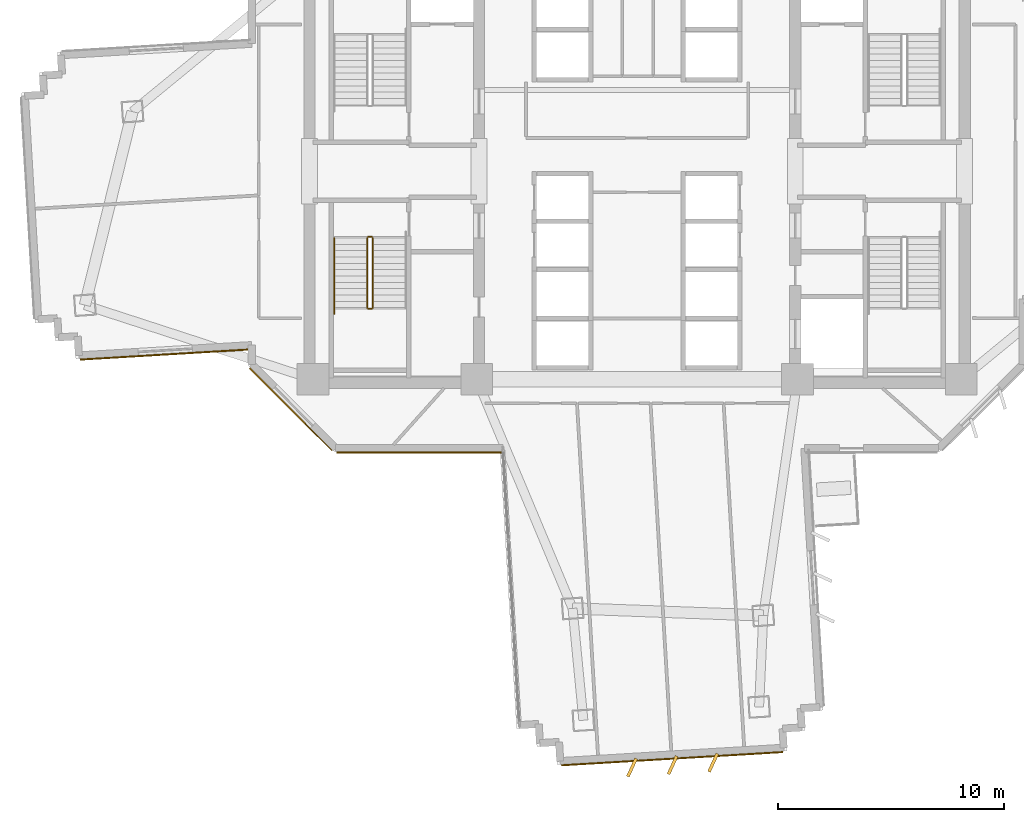
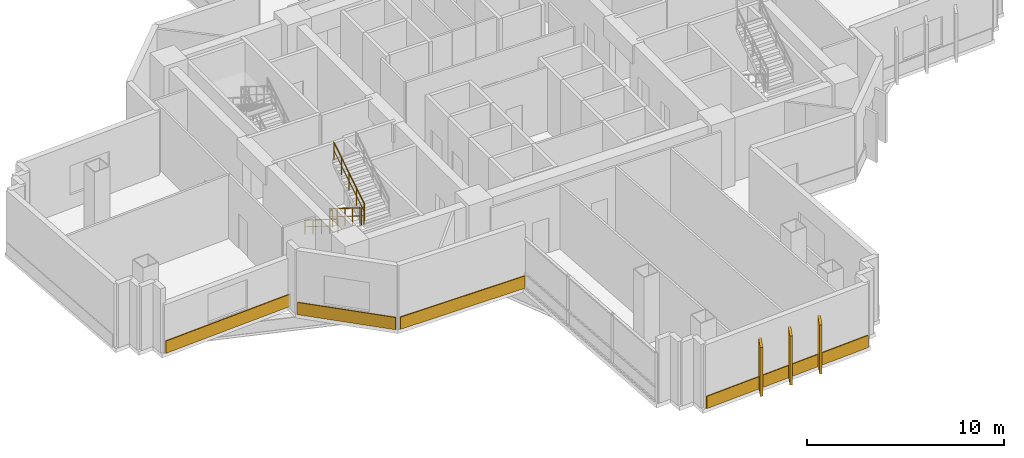
# One storey, part 11 of 15: 7 coverings, 5 railings.
"""IFC4 building model written with IfcOpenShell, lengths in metres."""

from ifc_helpers import new_model, si_unit, direction, frame, origin, origin_2d, place, context, subcontext, project, spatial, rectangle, extrude, source, transform, mapped, material, layer, layer_set, type_object, element, save


model = new_model("IFC4")

# Units and contexts
model_context = context("Model", 3, precision=1e-05, world=origin(), true_north=direction((0.0, 1.0)))
body_context = subcontext(model_context, "Body", "Model", "MODEL_VIEW")
ifc_project = project(units=[si_unit("LENGTHUNIT", "METRE"), si_unit("AREAUNIT", "SQUARE_METRE"), si_unit("VOLUMEUNIT", "CUBIC_METRE"), si_unit("PLANEANGLEUNIT", "RADIAN"), si_unit("MASSUNIT", "GRAM", prefix="KILO")], contexts=[model_context])

# Site, building, storey
site_placement = place(None, origin())
site = spatial("IfcSite", under=ifc_project, at=site_placement, CompositionType="ELEMENT")
building_placement = place(site_placement, origin())
building = spatial("IfcBuilding", under=site, at=building_placement, Name="Zahravan Cultural Tower", CompositionType="ELEMENT")
storey_placement = place(building_placement, frame((0.0, 0.0, 75.300048828125)))
storey = spatial("IfcBuildingStorey", under=building, at=storey_placement, Name="L16", CompositionType="ELEMENT", Elevation=75.300048828125)

# Railings
ifc_material_1 = material(Name="Steel ASTM A572 Grade 50", Category="steel")
railing_type_1 = type_object("IfcRailingType", Name="RL-STAIR-GRD1150", PredefinedType="BALUSTRADE", material=ifc_material_1)
railing_1_placement = place(storey_placement, frame((24.050048828125, 24.050048828125, 0.175048828125)))
element("IfcRailing", 1, at=railing_1_placement, inside=storey, type_object=railing_type_1, Name="L16 ST-W2 stair guard 1", PredefinedType="BALUSTRADE", context=body_context, shape_type="SweptSolid", body=[
    extrude(rectangle(XDim=0.05, YDim=0.05, at=origin_2d()), frame((0.0, 0.0, 1.0751953125), z_axis=(0.0, -0.848028513186, 0.529950602248), x_axis=(1.0, 0.0, 0.0)), (0.0, 0.0, 1.0), 3.632080078125),
    extrude(rectangle(XDim=0.032, YDim=0.032, at=origin_2d()), frame((0.0, 0.0, 0.572021484375), z_axis=(0.0, -0.848028513186, 0.529950602248), x_axis=(1.0, 0.0, 0.0)), (0.0, 0.0, 1.0), 3.632080078125),
    extrude(rectangle(XDim=0.04, YDim=0.04, at=origin_2d()), origin(), (0.0, 0.0, 1.0), 1.10009765625),
    extrude(rectangle(XDim=0.04, YDim=0.04, at=origin_2d()), frame((0.0, -0.77001953125, 0.481201171875)), (0.0, 0.0, 1.0), 1.10009765625),
    extrude(rectangle(XDim=0.04, YDim=0.04, at=origin_2d()), frame((0.0, -1.5400390625, 0.96240234375)), (0.0, 0.0, 1.0), 1.10009765625),
    extrude(rectangle(XDim=0.04, YDim=0.04, at=origin_2d()), frame((0.0, -2.31005859375, 1.443603515625)), (0.0, 0.0, 1.0), 1.10009765625),
    extrude(rectangle(XDim=0.04, YDim=0.04, at=origin_2d()), frame((0.0, -3.080078125, 1.9248046875)), (0.0, 0.0, 1.0), 1.10009765625),
])
railing_2_placement = place(storey_placement, frame((24.10009765625, 20.919921875, 2.099853515625)))
element("IfcRailing", 2, at=railing_2_placement, inside=storey, type_object=railing_type_1, Name="L16 ST-W2 stair guard 2", PredefinedType="BALUSTRADE", context=body_context, shape_type="SweptSolid", body=[
    extrude(rectangle(XDim=0.05, YDim=0.05, at=origin_2d()), frame((0.0, 0.0, 1.0751953125), z_axis=(1.0, 0.0, 0.0), x_axis=(0.0, 1.0, 0.0)), (0.0, 0.0, 1.0), 0.14990234375),
    extrude(rectangle(XDim=0.032, YDim=0.032, at=origin_2d()), frame((0.0, 0.0, 0.572021484375), z_axis=(1.0, 0.0, 0.0), x_axis=(0.0, 1.0, 0.0)), (0.0, 0.0, 1.0), 0.14990234375),
    extrude(rectangle(XDim=0.04, YDim=0.04, at=origin_2d()), origin(), (0.0, 0.0, 1.0), 1.10009765625),
    extrude(rectangle(XDim=0.04, YDim=0.04, at=origin_2d()), frame((0.14990234375, 0.0, 0.0)), (0.0, 0.0, 1.0), 1.10009765625),
])
railing_3_placement = place(storey_placement, frame((24.300048828125, 20.969970703125, 2.27490234375)))
element("IfcRailing", 3, at=railing_3_placement, inside=storey, type_object=railing_type_1, Name="L16 ST-W2 stair guard 3", PredefinedType="BALUSTRADE", context=body_context, shape_type="SweptSolid", body=[
    extrude(rectangle(XDim=0.05, YDim=0.05, at=origin_2d()), frame((0.0, 0.0, 1.0751953125), z_axis=(0.0, 0.847998304005, 0.529998940003), x_axis=(-1.0, 0.0, 0.0)), (0.0, 0.0, 1.0), 3.632080078125),
    extrude(rectangle(XDim=0.032, YDim=0.032, at=origin_2d()), frame((0.0, 0.0, 0.572021484375), z_axis=(0.0, 0.847998304005, 0.529998940003), x_axis=(-1.0, 0.0, 0.0)), (0.0, 0.0, 1.0), 3.632080078125),
    extrude(rectangle(XDim=0.04, YDim=0.04, at=origin_2d()), origin(), (0.0, 0.0, 1.0), 1.10009765625),
    extrude(rectangle(XDim=0.04, YDim=0.04, at=origin_2d()), frame((0.0, 0.77001953125, 0.481201171875)), (0.0, 0.0, 1.0), 1.10009765625),
    extrude(rectangle(XDim=0.04, YDim=0.04, at=origin_2d()), frame((0.0, 1.5400390625, 0.96240234375)), (0.0, 0.0, 1.0), 1.10009765625),
    extrude(rectangle(XDim=0.04, YDim=0.04, at=origin_2d()), frame((0.0, 2.31005859375, 1.44384765625)), (0.0, 0.0, 1.0), 1.10009765625),
    extrude(rectangle(XDim=0.04, YDim=0.04, at=origin_2d()), frame((0.0, 3.080078125, 1.925048828125)), (0.0, 0.0, 1.0), 1.10009765625),
])
railing_4_placement = place(storey_placement, frame((24.10009765625, 24.10009765625, 0.0)))
element("IfcRailing", 4, at=railing_4_placement, inside=storey, type_object=railing_type_1, Name="L16 ST-W2 stair guard 4", PredefinedType="BALUSTRADE", context=body_context, shape_type="SweptSolid", body=[
    extrude(rectangle(XDim=0.05, YDim=0.05, at=origin_2d()), frame((0.0, 0.0, 1.0751953125), z_axis=(1.0, 0.0, 0.0), x_axis=(0.0, 1.0, 0.0)), (0.0, 0.0, 1.0), 0.14990234375),
    extrude(rectangle(XDim=0.032, YDim=0.032, at=origin_2d()), frame((0.0, 0.0, 0.572021484375), z_axis=(1.0, 0.0, 0.0), x_axis=(0.0, 1.0, 0.0)), (0.0, 0.0, 1.0), 0.14990234375),
    extrude(rectangle(XDim=0.04, YDim=0.04, at=origin_2d()), origin(), (0.0, 0.0, 1.0), 1.10009765625),
    extrude(rectangle(XDim=0.04, YDim=0.04, at=origin_2d()), frame((0.14990234375, 0.0, 0.0)), (0.0, 0.0, 1.0), 1.10009765625),
])
railing_type_2 = type_object("IfcRailingType", Name="RL-STAIR-HR900", PredefinedType="HANDRAIL", material=ifc_material_1)
railing_5_placement = place(storey_placement, frame((22.60009765625, 24.050048828125, 0.175048828125)))
element("IfcRailing", 5, at=railing_5_placement, inside=storey, type_object=railing_type_2, Name="L16 ST-W2 stair handrail 1", PredefinedType="HANDRAIL", context=body_context, shape_type="SweptSolid", body=[
    extrude(rectangle(XDim=0.05, YDim=0.05, at=origin_2d()), frame((0.0, 0.0, 0.875), z_axis=(0.0, -0.848022534174, 0.529960169762), x_axis=(1.0, 0.0, 0.0)), (0.0, 0.0, 1.0), 3.96240234375),
    extrude(rectangle(XDim=0.032, YDim=0.032, at=origin_2d()), frame((0.0, 0.0, 0.468017578125), z_axis=(0.0, -0.848022534174, 0.529960169762), x_axis=(1.0, 0.0, 0.0)), (0.0, 0.0, 1.0), 3.96240234375),
    extrude(rectangle(XDim=0.04, YDim=0.04, at=origin_2d()), origin(), (0.0, 0.0, 1.0), 0.89990234375),
    extrude(rectangle(XDim=0.04, YDim=0.04, at=origin_2d()), frame((0.0, -0.840087890625, 0.52490234375)), (0.0, 0.0, 1.0), 0.89990234375),
    extrude(rectangle(XDim=0.04, YDim=0.04, at=origin_2d()), frame((0.0, -1.68017578125, 1.0498046875)), (0.0, 0.0, 1.0), 0.89990234375),
    extrude(rectangle(XDim=0.04, YDim=0.04, at=origin_2d()), frame((0.0, -2.52001953125, 1.574951171875)), (0.0, 0.0, 1.0), 0.89990234375),
    extrude(rectangle(XDim=0.04, YDim=0.04, at=origin_2d()), frame((0.0, -3.360107421875, 2.099853515625)), (0.0, 0.0, 1.0), 0.89990234375),
])

# Coverings
ifc_material_2 = material(Name="Terracotta ceramic cladding", Category="masonry")
ifc_layer = layer(ifc_material_2, 0.06005859375)
ifc_layer_set = layer_set([ifc_layer], Name="Terracotta ceramic cladding")
covering_type = type_object("IfcCoveringType", Name="COV-CLAD-TC60", PredefinedType="CLADDING", material=ifc_layer_set)
shared_shape_1 = source(origin(), body_context, "Body", "SweptSolid", [
    extrude(rectangle(XDim=9.820068359375, YDim=0.06005859375, at=origin_2d()), origin(), (0.0, 0.0, 1.0), 0.760009765625),
])
covering_1_placement = place(storey_placement, frame((37.5537109375, 1.00146484375, 0.02001953125), z_axis=(0.0, 0.0, 1.0), x_axis=(-0.998219065278, -0.05965482139, 0.0)))
element("IfcCovering", 6, at=covering_1_placement, inside=storey, type_object=covering_type, Name="L16 Terracotta Spandrel Cladding 20", PredefinedType="CLADDING", context=body_context, shape_type="MappedRepresentation", body=[
    mapped(shared_shape_1, transform((0.0, 0.0, 0.0), x_axis=(1.0, 0.0, 0.0), y_axis=(0.0, 1.0, 0.0), z_axis=(0.0, 0.0, 1.0), scale=1.0)),
])
shared_shape_2 = source(origin(), body_context, "Body", "SweptSolid", [
    extrude(rectangle(XDim=5.157958984375, YDim=0.06005859375, at=origin_2d()), origin(), (0.0, 0.0, 1.0), 0.760009765625),
])
covering_2_placement = place(storey_placement, frame((20.668212890625, 16.46826171875, 0.02001953125), z_axis=(0.0, 0.0, 1.0), x_axis=(-0.707106781187, 0.707106781187, 0.0)))
element("IfcCovering", 7, at=covering_2_placement, inside=storey, type_object=covering_type, Name="L16 Terracotta Spandrel Cladding 26", PredefinedType="CLADDING", context=body_context, shape_type="MappedRepresentation", body=[
    mapped(shared_shape_2, transform((0.0, 0.0, 0.0), x_axis=(1.0, 0.0, 0.0), y_axis=(0.0, 1.0, 0.0), z_axis=(0.0, 0.0, 1.0), scale=1.0)),
])
shared_shape_3 = source(origin(), body_context, "Body", "SweptSolid", [
    extrude(rectangle(XDim=0.8798828125, YDim=0.139892578125, at=origin_2d()), origin(), (0.0, 0.0, 1.0), 3.030029296875),
])
for number, where, z_axis, x_axis, name in (
    (8, (39.367431640625, 0.82421875, 0.0498046875), (0.0, 0.0, 1.0), (-0.41596338363, -0.909381363059, 0.0), "L16 Herringbone Terracotta Fin 15"),
    (9, (37.57080078125, 0.716796875, 0.0498046875), (0.0, 0.0, 1.0), (-0.41596338363, -0.909381363059, 0.0), "L16 Herringbone Terracotta Fin 16"),
    (10, (35.77392578125, 0.609619140625, 0.0498046875), (0.0, 0.0, 1.0), (-0.41596338363, -0.909381363059, 0.0), "L16 Herringbone Terracotta Fin 17"),
):
    element("IfcCovering", number, at=place(storey_placement, frame(where, z_axis=z_axis, x_axis=x_axis)), inside=storey, type_object=covering_type, Name=name, PredefinedType="CLADDING", context=body_context, shape_type="MappedRepresentation", body=[
        mapped(shared_shape_3, transform((0.0, 0.0, 0.0), x_axis=(1.0, 0.0, 0.0), y_axis=(0.0, 1.0, 0.0), z_axis=(0.0, 0.0, 1.0), scale=1.0)),
    ])
shared_shape_4 = source(origin(), body_context, "Body", "SweptSolid", [
    extrude(rectangle(XDim=7.571533203125, YDim=0.06005859375, at=origin_2d()), origin(), (0.0, 0.0, 1.0), 0.760009765625),
])
covering_3_placement = place(storey_placement, frame((15.1220703125, 18.89501953125, 0.02001953125), z_axis=(0.0, 0.0, 1.0), x_axis=(-0.998219065278, -0.05965482139, 0.0)))
element("IfcCovering", 11, at=covering_3_placement, inside=storey, type_object=covering_type, Name="L16 Terracotta Spandrel Cladding 28", PredefinedType="CLADDING", context=body_context, shape_type="MappedRepresentation", body=[
    mapped(shared_shape_4, transform((0.0, 0.0, 0.0), x_axis=(1.0, 0.0, 0.0), y_axis=(0.0, 1.0, 0.0), z_axis=(0.0, 0.0, 1.0), scale=1.0)),
])
shared_shape_5 = source(origin(), body_context, "Body", "SweptSolid", [
    extrude(rectangle(XDim=7.302734375, YDim=0.06005859375, at=origin_2d()), origin(), (0.0, 0.0, 1.0), 0.760009765625),
])
covering_4_placement = place(storey_placement, frame((26.359375, 14.554931640625, 0.02001953125), z_axis=(0.0, 0.0, 1.0), x_axis=(-1.0, 0.0, 0.0)))
element("IfcCovering", 12, at=covering_4_placement, inside=storey, type_object=covering_type, Name="L16 Terracotta Spandrel Cladding 25", PredefinedType="CLADDING", context=body_context, shape_type="MappedRepresentation", body=[
    mapped(shared_shape_5, transform((0.0, 0.0, 0.0), x_axis=(1.0, 0.0, 0.0), y_axis=(0.0, 1.0, 0.0), z_axis=(0.0, 0.0, 1.0), scale=1.0)),
])

save(model, "model.ifc")
